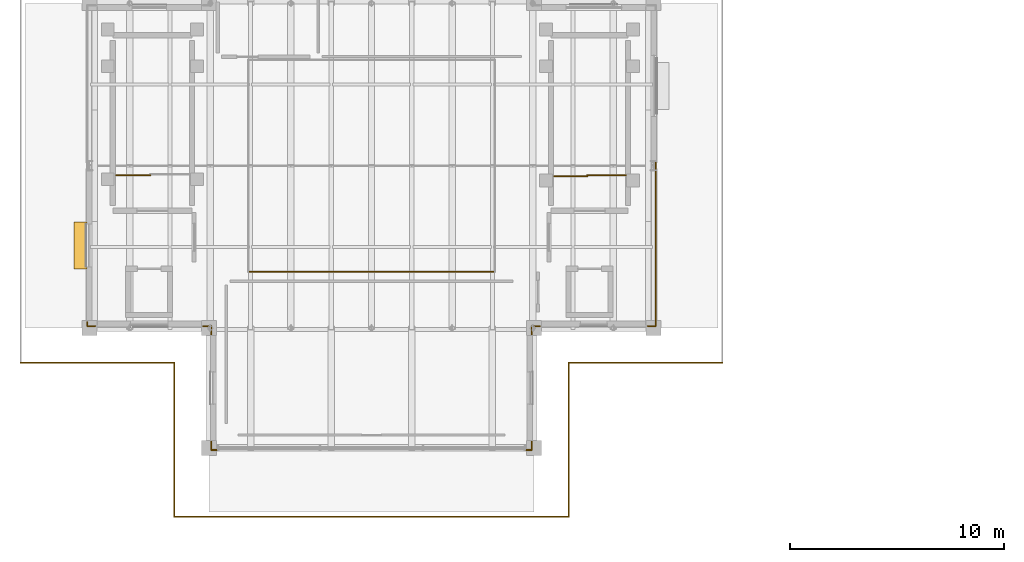
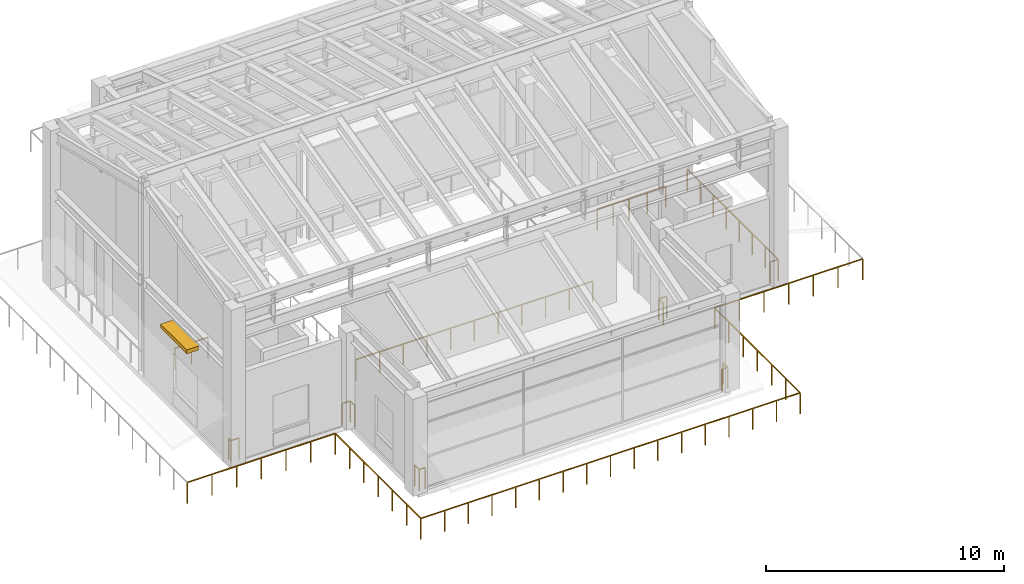
# One storey, part 9 of 11: 21 railings, 1 shading device.
"""IFC4 building model written with IfcOpenShell, lengths in metres."""

from ifc_helpers import new_model, si_unit, direction, frame, origin, origin_2d, place, context, subcontext, project, spatial, rectangle, extrude, material, layer, layer_set, type_object, element, save


model = new_model("IFC4")

# Units and contexts
model_context = context("Model", 3, precision=1e-05, world=origin(), true_north=direction((0.0, 1.0)))
body_context = subcontext(model_context, "Body", "Model", "MODEL_VIEW")
ifc_project = project(units=[si_unit("LENGTHUNIT", "METRE"), si_unit("AREAUNIT", "SQUARE_METRE"), si_unit("VOLUMEUNIT", "CUBIC_METRE"), si_unit("PLANEANGLEUNIT", "RADIAN"), si_unit("MASSUNIT", "GRAM", prefix="KILO")], contexts=[model_context])

# Site, building, storey
site_placement = place(None, origin())
site = spatial("IfcSite", under=ifc_project, at=site_placement, CompositionType="ELEMENT")
building_placement = place(site_placement, origin())
building = spatial("IfcBuilding", under=site, at=building_placement, Name="Saryqyr Civic Hall", CompositionType="ELEMENT")
storey_placement = place(building_placement, frame((0.0, 0.0, 29.39990234375)))
storey = spatial("IfcBuildingStorey", under=building, at=storey_placement, Name="L07", CompositionType="ELEMENT", Elevation=29.39990234375)

# Railings
ifc_material_1 = material(Name="Stainless steel and laminated glass", Category="steel")
ifc_layer_1 = layer(ifc_material_1, 0.06005859375, Name="Stainless steel and laminated glass")
ifc_layer_set_1 = layer_set([ifc_layer_1], Name="Stainless steel and laminated glass")
railing_type_1 = type_object("IfcRailingType", Name="ENV-RLG-BAL-1100", PredefinedType="BALUSTRADE", material=ifc_layer_set_1)
railing_1_placement = place(storey_placement, frame((47.780029296875, 67.580078125, 0.0)))
element("IfcRailing", 1, at=railing_1_placement, inside=storey, type_object=railing_type_1, Name="Perimeter safety balustrade V1-STEPG-L07-G01", PredefinedType="BALUSTRADE", context=body_context, shape_type="SweptSolid", body=[
    extrude(rectangle(XDim=0.048095703125, YDim=0.048095703125, at=origin_2d()), frame((0.0, 0.0, 1.076171875), z_axis=(1.0, 0.0, 0.0), x_axis=(0.0, 1.0, 0.0)), (0.0, 0.0, 1.0), 18.43994140625),
    extrude(rectangle(XDim=0.0419921875, YDim=0.0419921875, at=origin_2d()), origin(), (0.0, 0.0, 1.0), 1.052001953125),
    extrude(rectangle(XDim=0.0419921875, YDim=0.0419921875, at=origin_2d()), frame((1.152587890625, 0.0, 0.0)), (0.0, 0.0, 1.0), 1.052001953125),
    extrude(rectangle(XDim=0.0419921875, YDim=0.0419921875, at=origin_2d()), frame((2.304931640625, 0.0, 0.0)), (0.0, 0.0, 1.0), 1.052001953125),
    extrude(rectangle(XDim=0.0419921875, YDim=0.0419921875, at=origin_2d()), frame((3.45751953125, 0.0, 0.0)), (0.0, 0.0, 1.0), 1.052001953125),
    extrude(rectangle(XDim=0.0419921875, YDim=0.0419921875, at=origin_2d()), frame((4.60986328125, 0.0, 0.0)), (0.0, 0.0, 1.0), 1.052001953125),
    extrude(rectangle(XDim=0.0419921875, YDim=0.0419921875, at=origin_2d()), frame((5.762451171875, 0.0, 0.0)), (0.0, 0.0, 1.0), 1.052001953125),
    extrude(rectangle(XDim=0.0419921875, YDim=0.0419921875, at=origin_2d()), frame((6.9150390625, 0.0, 0.0)), (0.0, 0.0, 1.0), 1.052001953125),
    extrude(rectangle(XDim=0.0419921875, YDim=0.0419921875, at=origin_2d()), frame((8.0673828125, 0.0, 0.0)), (0.0, 0.0, 1.0), 1.052001953125),
    extrude(rectangle(XDim=0.0419921875, YDim=0.0419921875, at=origin_2d()), frame((9.219970703125, 0.0, 0.0)), (0.0, 0.0, 1.0), 1.052001953125),
    extrude(rectangle(XDim=0.0419921875, YDim=0.0419921875, at=origin_2d()), frame((10.37255859375, 0.0, 0.0)), (0.0, 0.0, 1.0), 1.052001953125),
    extrude(rectangle(XDim=0.0419921875, YDim=0.0419921875, at=origin_2d()), frame((11.52490234375, 0.0, 0.0)), (0.0, 0.0, 1.0), 1.052001953125),
    extrude(rectangle(XDim=0.0419921875, YDim=0.0419921875, at=origin_2d()), frame((12.677490234375, 0.0, 0.0)), (0.0, 0.0, 1.0), 1.052001953125),
    extrude(rectangle(XDim=0.0419921875, YDim=0.0419921875, at=origin_2d()), frame((13.830078125, 0.0, 0.0)), (0.0, 0.0, 1.0), 1.052001953125),
    extrude(rectangle(XDim=0.0419921875, YDim=0.0419921875, at=origin_2d()), frame((14.982421875, 0.0, 0.0)), (0.0, 0.0, 1.0), 1.052001953125),
    extrude(rectangle(XDim=0.0419921875, YDim=0.0419921875, at=origin_2d()), frame((16.135009765625, 0.0, 0.0)), (0.0, 0.0, 1.0), 1.052001953125),
    extrude(rectangle(XDim=0.0419921875, YDim=0.0419921875, at=origin_2d()), frame((17.287353515625, 0.0, 0.0)), (0.0, 0.0, 1.0), 1.052001953125),
    extrude(rectangle(XDim=0.0419921875, YDim=0.0419921875, at=origin_2d()), frame((18.43994140625, 0.0, 0.0)), (0.0, 0.0, 1.0), 1.052001953125),
])
railing_2_placement = place(storey_placement, frame((66.219970703125, 67.580078125, 0.0)))
element("IfcRailing", 2, at=railing_2_placement, inside=storey, type_object=railing_type_1, Name="Perimeter safety balustrade V1-STEPG-L07-G02", PredefinedType="BALUSTRADE", context=body_context, shape_type="SweptSolid", body=[
    extrude(rectangle(XDim=0.048095703125, YDim=0.048095703125, at=origin_2d()), frame((0.0, 0.0, 1.076171875), z_axis=(0.0, 1.0, 0.0), x_axis=(-1.0, 0.0, 0.0)), (0.0, 0.0, 1.0), 7.199951171875),
    extrude(rectangle(XDim=0.0419921875, YDim=0.0419921875, at=origin_2d()), origin(), (0.0, 0.0, 1.0), 1.052001953125),
    extrude(rectangle(XDim=0.0419921875, YDim=0.0419921875, at=origin_2d()), frame((0.0, 1.199951171875, 0.0)), (0.0, 0.0, 1.0), 1.052001953125),
    extrude(rectangle(XDim=0.0419921875, YDim=0.0419921875, at=origin_2d()), frame((0.0, 2.39990234375, 0.0)), (0.0, 0.0, 1.0), 1.052001953125),
    extrude(rectangle(XDim=0.0419921875, YDim=0.0419921875, at=origin_2d()), frame((0.0, 3.60009765625, 0.0)), (0.0, 0.0, 1.0), 1.052001953125),
    extrude(rectangle(XDim=0.0419921875, YDim=0.0419921875, at=origin_2d()), frame((0.0, 4.800048828125, 0.0)), (0.0, 0.0, 1.0), 1.052001953125),
    extrude(rectangle(XDim=0.0419921875, YDim=0.0419921875, at=origin_2d()), frame((0.0, 6.0, 0.0)), (0.0, 0.0, 1.0), 1.052001953125),
    extrude(rectangle(XDim=0.0419921875, YDim=0.0419921875, at=origin_2d()), frame((0.0, 7.199951171875, 0.0)), (0.0, 0.0, 1.0), 1.052001953125),
])
for number, where, name in (
    (3, (66.219970703125, 74.780029296875, 0.0), "Perimeter safety balustrade V1-STEPG-L07-G03"),
    (4, (40.580078125, 74.780029296875, 0.0), "Perimeter safety balustrade V1-STEPG-L07-G11"),
):
    element("IfcRailing", number, at=place(storey_placement, frame(where)), inside=storey, type_object=railing_type_1, Name=name, PredefinedType="BALUSTRADE", context=body_context, shape_type="SweptSolid", body=[
        extrude(rectangle(XDim=0.048095703125, YDim=0.048095703125, at=origin_2d()), frame((0.0, 0.0, 1.076171875), z_axis=(1.0, 0.0, 0.0), x_axis=(0.0, 1.0, 0.0)), (0.0, 0.0, 1.0), 7.199951171875),
        extrude(rectangle(XDim=0.0419921875, YDim=0.0419921875, at=origin_2d()), origin(), (0.0, 0.0, 1.0), 1.052001953125),
        extrude(rectangle(XDim=0.0419921875, YDim=0.0419921875, at=origin_2d()), frame((1.199951171875, 0.0, 0.0)), (0.0, 0.0, 1.0), 1.052001953125),
        extrude(rectangle(XDim=0.0419921875, YDim=0.0419921875, at=origin_2d()), frame((2.39990234375, 0.0, 0.0)), (0.0, 0.0, 1.0), 1.052001953125),
        extrude(rectangle(XDim=0.0419921875, YDim=0.0419921875, at=origin_2d()), frame((3.60009765625, 0.0, 0.0)), (0.0, 0.0, 1.0), 1.052001953125),
        extrude(rectangle(XDim=0.0419921875, YDim=0.0419921875, at=origin_2d()), frame((4.800048828125, 0.0, 0.0)), (0.0, 0.0, 1.0), 1.052001953125),
        extrude(rectangle(XDim=0.0419921875, YDim=0.0419921875, at=origin_2d()), frame((6.0, 0.0, 0.0)), (0.0, 0.0, 1.0), 1.052001953125),
        extrude(rectangle(XDim=0.0419921875, YDim=0.0419921875, at=origin_2d()), frame((7.199951171875, 0.0, 0.0)), (0.0, 0.0, 1.0), 1.052001953125),
    ])
railing_3_placement = place(storey_placement, frame((47.780029296875, 74.780029296875, 0.0)))
element("IfcRailing", 5, at=railing_3_placement, inside=storey, type_object=railing_type_1, Name="Perimeter safety balustrade V1-STEPG-L07-G12", PredefinedType="BALUSTRADE", context=body_context, shape_type="SweptSolid", body=[
    extrude(rectangle(XDim=0.048095703125, YDim=0.048095703125, at=origin_2d()), frame((0.0, 0.0, 1.076171875), z_axis=(0.0, -1.0, 0.0), x_axis=(1.0, 0.0, 0.0)), (0.0, 0.0, 1.0), 7.199951171875),
    extrude(rectangle(XDim=0.0419921875, YDim=0.0419921875, at=origin_2d()), origin(), (0.0, 0.0, 1.0), 1.052001953125),
    extrude(rectangle(XDim=0.0419921875, YDim=0.0419921875, at=origin_2d()), frame((0.0, -1.199951171875, 0.0)), (0.0, 0.0, 1.0), 1.052001953125),
    extrude(rectangle(XDim=0.0419921875, YDim=0.0419921875, at=origin_2d()), frame((0.0, -2.39990234375, 0.0)), (0.0, 0.0, 1.0), 1.052001953125),
    extrude(rectangle(XDim=0.0419921875, YDim=0.0419921875, at=origin_2d()), frame((0.0, -3.60009765625, 0.0)), (0.0, 0.0, 1.0), 1.052001953125),
    extrude(rectangle(XDim=0.0419921875, YDim=0.0419921875, at=origin_2d()), frame((0.0, -4.800048828125, 0.0)), (0.0, 0.0, 1.0), 1.052001953125),
    extrude(rectangle(XDim=0.0419921875, YDim=0.0419921875, at=origin_2d()), frame((0.0, -6.0, 0.0)), (0.0, 0.0, 1.0), 1.052001953125),
    extrude(rectangle(XDim=0.0419921875, YDim=0.0419921875, at=origin_2d()), frame((0.0, -7.199951171875, 0.0)), (0.0, 0.0, 1.0), 1.052001953125),
])

# Shading device
ifc_material_2 = material(Name="Warm brushed brass-anodised aluminium", Category="aluminium")
shading_device_type = type_object("IfcShadingDeviceType", Name="ENV-SHD-LOUVRE", PredefinedType="JALOUSIE", material=ifc_material_2)
shading_device_placement = place(storey_placement, frame((43.385009765625, 80.26708984375, 4.14501953125), z_axis=(0.0, 0.0, 1.0), x_axis=(0.0, 1.0, 0.0)))
element("IfcShadingDevice", 6, at=shading_device_placement, inside=storey, type_object=shading_device_type, Name="Warm brass exterior louvre hood L07-02", PredefinedType="JALOUSIE", context=body_context, shape_type="SweptSolid", body=[
    extrude(rectangle(XDim=2.199951171875, YDim=0.60009765625, at=origin_2d()), origin(), (0.0, 0.0, 1.0), 0.199951171875),
])

# Railings
ifc_material_3 = material(Name="Warm brushed brass and laminated glass", Category="glass")
ifc_layer_2 = layer(ifc_material_3, 0.06005859375, Name="Warm brushed brass and laminated glass")
ifc_layer_set_2 = layer_set([ifc_layer_2], Name="Warm brushed brass and laminated glass")
railing_type_2 = type_object("IfcRailingType", Name="INT-RLG-BAL-1100", PredefinedType="BALUSTRADE", material=ifc_layer_set_2)
railing_4_placement = place(storey_placement, frame((68.89990234375, 83.550048828125, 0.0)))
element("IfcRailing", 7, at=railing_4_placement, inside=storey, type_object=railing_type_2, Name="L07 ST-2 top well guard 1", PredefinedType="BALUSTRADE", context=body_context, shape_type="SweptSolid", body=[
    extrude(rectangle(XDim=0.048095703125, YDim=0.048095703125, at=origin_2d()), frame((0.0, 0.0, 1.076171875), z_axis=(-1.0, 0.0, 0.0), x_axis=(0.0, -1.0, 0.0)), (0.0, 0.0, 1.0), 1.7998046875),
    extrude(rectangle(XDim=0.0419921875, YDim=0.0419921875, at=origin_2d()), origin(), (0.0, 0.0, 1.0), 1.052001953125),
    extrude(rectangle(XDim=0.0419921875, YDim=0.0419921875, at=origin_2d()), frame((-0.89990234375, 0.0, 0.0)), (0.0, 0.0, 1.0), 1.052001953125),
    extrude(rectangle(XDim=0.0419921875, YDim=0.0419921875, at=origin_2d()), frame((-1.7998046875, 0.0, 0.0)), (0.0, 0.0, 1.0), 1.052001953125),
])
railing_5_placement = place(storey_placement, frame((51.239990234375, 79.0400390625, 0.0)))
element("IfcRailing", 8, at=railing_5_placement, inside=storey, type_object=railing_type_2, Name="Atrium gallery balustrade V1-GALL-VOID-L07-G1", PredefinedType="BALUSTRADE", context=body_context, shape_type="SweptSolid", body=[
    extrude(rectangle(XDim=0.048095703125, YDim=0.048095703125, at=origin_2d()), frame((0.0, 0.0, 1.076171875), z_axis=(1.0, 0.0, 0.0), x_axis=(0.0, 1.0, 0.0)), (0.0, 0.0, 1.0), 11.52001953125),
    extrude(rectangle(XDim=0.0419921875, YDim=0.0419921875, at=origin_2d()), origin(), (0.0, 0.0, 1.0), 1.052001953125),
    extrude(rectangle(XDim=0.0419921875, YDim=0.0419921875, at=origin_2d()), frame((1.152099609375, 0.0, 0.0)), (0.0, 0.0, 1.0), 1.052001953125),
    extrude(rectangle(XDim=0.0419921875, YDim=0.0419921875, at=origin_2d()), frame((2.303955078125, 0.0, 0.0)), (0.0, 0.0, 1.0), 1.052001953125),
    extrude(rectangle(XDim=0.0419921875, YDim=0.0419921875, at=origin_2d()), frame((3.4560546875, 0.0, 0.0)), (0.0, 0.0, 1.0), 1.052001953125),
    extrude(rectangle(XDim=0.0419921875, YDim=0.0419921875, at=origin_2d()), frame((4.60791015625, 0.0, 0.0)), (0.0, 0.0, 1.0), 1.052001953125),
    extrude(rectangle(XDim=0.0419921875, YDim=0.0419921875, at=origin_2d()), frame((5.760009765625, 0.0, 0.0)), (0.0, 0.0, 1.0), 1.052001953125),
    extrude(rectangle(XDim=0.0419921875, YDim=0.0419921875, at=origin_2d()), frame((6.912109375, 0.0, 0.0)), (0.0, 0.0, 1.0), 1.052001953125),
    extrude(rectangle(XDim=0.0419921875, YDim=0.0419921875, at=origin_2d()), frame((8.06396484375, 0.0, 0.0)), (0.0, 0.0, 1.0), 1.052001953125),
    extrude(rectangle(XDim=0.0419921875, YDim=0.0419921875, at=origin_2d()), frame((9.216064453125, 0.0, 0.0)), (0.0, 0.0, 1.0), 1.052001953125),
    extrude(rectangle(XDim=0.0419921875, YDim=0.0419921875, at=origin_2d()), frame((10.367919921875, 0.0, 0.0)), (0.0, 0.0, 1.0), 1.052001953125),
    extrude(rectangle(XDim=0.0419921875, YDim=0.0419921875, at=origin_2d()), frame((11.52001953125, 0.0, 0.0)), (0.0, 0.0, 1.0), 1.052001953125),
])
railing_6_placement = place(storey_placement, frame((70.300048828125, 84.14990234375, 0.0)))
element("IfcRailing", 9, at=railing_6_placement, inside=storey, type_object=railing_type_2, Name="Interior deck safety balustrade L07-002", PredefinedType="BALUSTRADE", context=body_context, shape_type="SweptSolid", body=[
    extrude(rectangle(XDim=0.048095703125, YDim=0.048095703125, at=origin_2d()), frame((0.0, 0.0, 1.09619140625), z_axis=(0.0, -1.0, 0.0), x_axis=(1.0, 0.0, 0.0)), (0.0, 0.0, 1.0), 7.64990234375),
    extrude(rectangle(XDim=0.0419921875, YDim=0.0419921875, at=origin_2d()), origin(), (0.0, 0.0, 1.0), 1.072021484375),
    extrude(rectangle(XDim=0.0419921875, YDim=0.0419921875, at=origin_2d()), frame((0.0, -1.0927734375, 0.0)), (0.0, 0.0, 1.0), 1.072021484375),
    extrude(rectangle(XDim=0.0419921875, YDim=0.0419921875, at=origin_2d()), frame((0.0, -2.185791015625, 0.0)), (0.0, 0.0, 1.0), 1.072021484375),
    extrude(rectangle(XDim=0.0419921875, YDim=0.0419921875, at=origin_2d()), frame((0.0, -3.278564453125, 0.0)), (0.0, 0.0, 1.0), 1.072021484375),
    extrude(rectangle(XDim=0.0419921875, YDim=0.0419921875, at=origin_2d()), frame((0.0, -4.371337890625, 0.0)), (0.0, 0.0, 1.0), 1.072021484375),
    extrude(rectangle(XDim=0.0419921875, YDim=0.0419921875, at=origin_2d()), frame((0.0, -5.464111328125, 0.0)), (0.0, 0.0, 1.0), 1.072021484375),
    extrude(rectangle(XDim=0.0419921875, YDim=0.0419921875, at=origin_2d()), frame((0.0, -6.55712890625, 0.0)), (0.0, 0.0, 1.0), 1.072021484375),
    extrude(rectangle(XDim=0.0419921875, YDim=0.0419921875, at=origin_2d()), frame((0.0, -7.64990234375, 0.0)), (0.0, 0.0, 1.0), 1.072021484375),
])
for number, where, name in (
    (10, (70.300048828125, 76.5, 0.0), "Interior deck safety balustrade L07-003"),
    (11, (64.885009765625, 76.5, 0.0), "Interior deck safety balustrade L07-004"),
):
    element("IfcRailing", number, at=place(storey_placement, frame(where)), inside=storey, type_object=railing_type_2, Name=name, PredefinedType="BALUSTRADE", context=body_context, shape_type="SweptSolid", body=[
        extrude(rectangle(XDim=0.048095703125, YDim=0.048095703125, at=origin_2d()), frame((0.0, 0.0, 1.09619140625), z_axis=(-1.0, 0.0, 0.0), x_axis=(0.0, -1.0, 0.0)), (0.0, 0.0, 1.0), 0.385009765625),
        extrude(rectangle(XDim=0.0419921875, YDim=0.0419921875, at=origin_2d()), origin(), (0.0, 0.0, 1.0), 1.072021484375),
        extrude(rectangle(XDim=0.0419921875, YDim=0.0419921875, at=origin_2d()), frame((-0.385009765625, 0.0, 0.0)), (0.0, 0.0, 1.0), 1.072021484375),
    ])
for number, where, name in (
    (12, (64.5, 76.5, 0.0), "Interior deck safety balustrade L07-005"),
    (13, (64.5, 71.0849609375, 0.0), "Interior deck safety balustrade L07-006"),
):
    element("IfcRailing", number, at=place(storey_placement, frame(where)), inside=storey, type_object=railing_type_2, Name=name, PredefinedType="BALUSTRADE", context=body_context, shape_type="SweptSolid", body=[
        extrude(rectangle(XDim=0.048095703125, YDim=0.048095703125, at=origin_2d()), frame((0.0, 0.0, 1.09619140625), z_axis=(0.0, -1.0, 0.0), x_axis=(1.0, 0.0, 0.0)), (0.0, 0.0, 1.0), 0.385009765625),
        extrude(rectangle(XDim=0.0419921875, YDim=0.0419921875, at=origin_2d()), origin(), (0.0, 0.0, 1.0), 1.072021484375),
        extrude(rectangle(XDim=0.0419921875, YDim=0.0419921875, at=origin_2d()), frame((0.0, -0.385009765625, 0.0)), (0.0, 0.0, 1.0), 1.072021484375),
    ])
for number, where, name in (
    (14, (64.5, 70.699951171875, 0.0), "Interior deck safety balustrade L07-007"),
    (15, (49.7900390625, 70.699951171875, 0.0), "Interior deck safety balustrade L07-008"),
):
    element("IfcRailing", number, at=place(storey_placement, frame(where)), inside=storey, type_object=railing_type_2, Name=name, PredefinedType="BALUSTRADE", context=body_context, shape_type="SweptSolid", body=[
        extrude(rectangle(XDim=0.048095703125, YDim=0.048095703125, at=origin_2d()), frame((0.0, 0.0, 1.09619140625), z_axis=(-1.0, 0.0, 0.0), x_axis=(0.0, -1.0, 0.0)), (0.0, 0.0, 1.0), 0.2900390625),
        extrude(rectangle(XDim=0.0419921875, YDim=0.0419921875, at=origin_2d()), origin(), (0.0, 0.0, 1.0), 1.072021484375),
        extrude(rectangle(XDim=0.0419921875, YDim=0.0419921875, at=origin_2d()), frame((-0.2900390625, 0.0, 0.0)), (0.0, 0.0, 1.0), 1.072021484375),
    ])
for number, where, name in (
    (16, (49.5, 70.699951171875, 0.0), "Interior deck safety balustrade L07-009"),
    (17, (49.5, 76.114990234375, 0.0), "Interior deck safety balustrade L07-010"),
):
    element("IfcRailing", number, at=place(storey_placement, frame(where)), inside=storey, type_object=railing_type_2, Name=name, PredefinedType="BALUSTRADE", context=body_context, shape_type="SweptSolid", body=[
        extrude(rectangle(XDim=0.048095703125, YDim=0.048095703125, at=origin_2d()), frame((0.0, 0.0, 1.09619140625), z_axis=(0.0, 1.0, 0.0), x_axis=(-1.0, 0.0, 0.0)), (0.0, 0.0, 1.0), 0.385009765625),
        extrude(rectangle(XDim=0.0419921875, YDim=0.0419921875, at=origin_2d()), origin(), (0.0, 0.0, 1.0), 1.072021484375),
        extrude(rectangle(XDim=0.0419921875, YDim=0.0419921875, at=origin_2d()), frame((0.0, 0.385009765625, 0.0)), (0.0, 0.0, 1.0), 1.072021484375),
    ])
for number, where, name in (
    (18, (49.5, 76.5, 0.0), "Interior deck safety balustrade L07-011"),
    (19, (44.0849609375, 76.5, 0.0), "Interior deck safety balustrade L07-012"),
):
    element("IfcRailing", number, at=place(storey_placement, frame(where)), inside=storey, type_object=railing_type_2, Name=name, PredefinedType="BALUSTRADE", context=body_context, shape_type="SweptSolid", body=[
        extrude(rectangle(XDim=0.048095703125, YDim=0.048095703125, at=origin_2d()), frame((0.0, 0.0, 1.09619140625), z_axis=(-1.0, 0.0, 0.0), x_axis=(0.0, -1.0, 0.0)), (0.0, 0.0, 1.0), 0.385009765625),
        extrude(rectangle(XDim=0.0419921875, YDim=0.0419921875, at=origin_2d()), origin(), (0.0, 0.0, 1.0), 1.072021484375),
        extrude(rectangle(XDim=0.0419921875, YDim=0.0419921875, at=origin_2d()), frame((-0.385009765625, 0.0, 0.0)), (0.0, 0.0, 1.0), 1.072021484375),
    ])
railing_7_placement = place(storey_placement, frame((43.699951171875, 76.5, 0.0)))
element("IfcRailing", 20, at=railing_7_placement, inside=storey, type_object=railing_type_2, Name="Interior deck safety balustrade L07-013", PredefinedType="BALUSTRADE", context=body_context, shape_type="SweptSolid", body=[
    extrude(rectangle(XDim=0.048095703125, YDim=0.048095703125, at=origin_2d()), frame((0.0, 0.0, 1.09619140625), z_axis=(0.0, 1.0, 0.0), x_axis=(-1.0, 0.0, 0.0)), (0.0, 0.0, 1.0), 0.18505859375),
    extrude(rectangle(XDim=0.0419921875, YDim=0.0419921875, at=origin_2d()), origin(), (0.0, 0.0, 1.0), 1.072021484375),
    extrude(rectangle(XDim=0.0419921875, YDim=0.0419921875, at=origin_2d()), frame((0.0, 0.18505859375, 0.0)), (0.0, 0.0, 1.0), 1.072021484375),
])
railing_8_placement = place(storey_placement, frame((65.544921875, 83.5, 0.0)))
element("IfcRailing", 21, at=railing_8_placement, inside=storey, type_object=railing_type_2, Name="Interior deck safety balustrade L07-025", PredefinedType="BALUSTRADE", context=body_context, shape_type="SweptSolid", body=[
    extrude(rectangle(XDim=0.048095703125, YDim=0.048095703125, at=origin_2d()), frame((0.0, 0.0, 1.09619140625), z_axis=(1.0, 0.0, 0.0), x_axis=(0.0, 1.0, 0.0)), (0.0, 0.0, 1.0), 1.55517578125),
    extrude(rectangle(XDim=0.0419921875, YDim=0.0419921875, at=origin_2d()), origin(), (0.0, 0.0, 1.0), 1.072021484375),
    extrude(rectangle(XDim=0.0419921875, YDim=0.0419921875, at=origin_2d()), frame((0.777587890625, 0.0, 0.0)), (0.0, 0.0, 1.0), 1.072021484375),
    extrude(rectangle(XDim=0.0419921875, YDim=0.0419921875, at=origin_2d()), frame((1.55517578125, 0.0, 0.0)), (0.0, 0.0, 1.0), 1.072021484375),
])
railing_9_placement = place(storey_placement, frame((45.044921875, 83.550048828125, 0.0)))
element("IfcRailing", 22, at=railing_9_placement, inside=storey, type_object=railing_type_2, Name="Interior deck safety balustrade L07-026", PredefinedType="BALUSTRADE", context=body_context, shape_type="SweptSolid", body=[
    extrude(rectangle(XDim=0.048095703125, YDim=0.048095703125, at=origin_2d()), frame((0.0, 0.0, 1.09619140625), z_axis=(1.0, 0.0, 0.0), x_axis=(0.0, 1.0, 0.0)), (0.0, 0.0, 1.0), 1.60498046875),
    extrude(rectangle(XDim=0.0419921875, YDim=0.0419921875, at=origin_2d()), origin(), (0.0, 0.0, 1.0), 1.072021484375),
    extrude(rectangle(XDim=0.0419921875, YDim=0.0419921875, at=origin_2d()), frame((0.802490234375, 0.0, 0.0)), (0.0, 0.0, 1.0), 1.072021484375),
    extrude(rectangle(XDim=0.0419921875, YDim=0.0419921875, at=origin_2d()), frame((1.60498046875, 0.0, 0.0)), (0.0, 0.0, 1.0), 1.072021484375),
])

save(model, "model.ifc")
